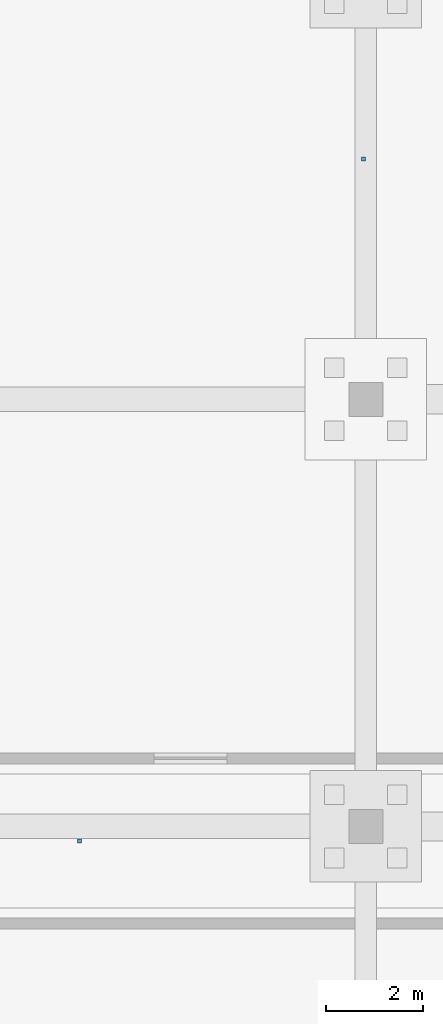
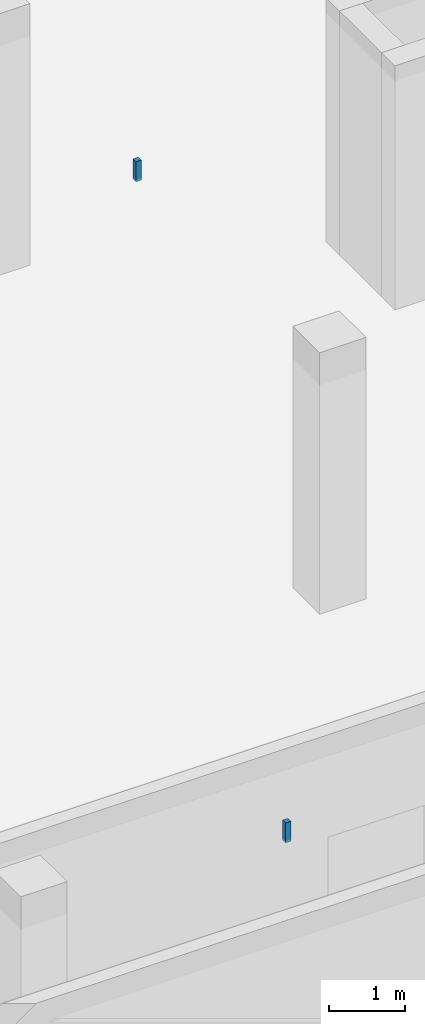
# One storey, part 22 of 31: 2 discrete accessories.
"""IFC4 building model written with IfcOpenShell, lengths in metres."""

from ifc_helpers import new_model, si_unit, direction, frame, origin, origin_2d, place, context, subcontext, project, spatial, rectangle, extrude, material, type_object, element, save


model = new_model("IFC4")

# Units and contexts
model_context = context("Model", 3, precision=1e-05, world=origin(), true_north=direction((0.0, 1.0)))
body_context = subcontext(model_context, "Body", "Model", "MODEL_VIEW")
ifc_project = project(units=[si_unit("LENGTHUNIT", "METRE"), si_unit("AREAUNIT", "SQUARE_METRE"), si_unit("VOLUMEUNIT", "CUBIC_METRE"), si_unit("PLANEANGLEUNIT", "RADIAN"), si_unit("MASSUNIT", "GRAM", prefix="KILO")], contexts=[model_context])

# Site, building, storey
site_placement = place(None, origin())
site = spatial("IfcSite", under=ifc_project, at=site_placement, CompositionType="ELEMENT")
building_placement = place(site_placement, origin())
building = spatial("IfcBuilding", under=site, at=building_placement, Name="Chalmorin Arch Market", CompositionType="ELEMENT")
storey_placement = place(building_placement, frame((0.0, 0.0, -4.199951171875)))
storey = spatial("IfcBuildingStorey", under=building, at=storey_placement, Name="B1", CompositionType="ELEMENT", Elevation=-4.199951171875)

# Discrete accessories
ifc_material = material(Name="Galvanized Cold-Formed Steel", Category="steel")
discrete_accessory_type = type_object("IfcDiscreteAccessoryType", Name="CeilingSuspensionBracket-80x80", PredefinedType="BRACKET", material=ifc_material)
for number, where, z_axis, x_axis, name in (
    (1, (90.10009765625, 32.10009765625, 3.653076171875), (0.0, 0.0, 1.0), (1.0, 0.0, 0.0), "CSB-047"),
    (2, (95.949951171875, 46.14990234375, 3.653076171875), (0.0, 0.0, 1.0), (1.0, 0.0, 0.0), "CSB-055"),
):
    element("IfcDiscreteAccessory", number, at=place(storey_placement, frame(where, z_axis=z_axis, x_axis=x_axis)), inside=storey, type_object=discrete_accessory_type, Name=name, PredefinedType="BRACKET", context=body_context, shape_type="SweptSolid", body=[
        extrude(rectangle(XDim=0.080078125, YDim=0.080078125, at=origin_2d()), origin(), (0.0, 0.0, 1.0), 0.31689453125),
    ])

save(model, "model.ifc")
